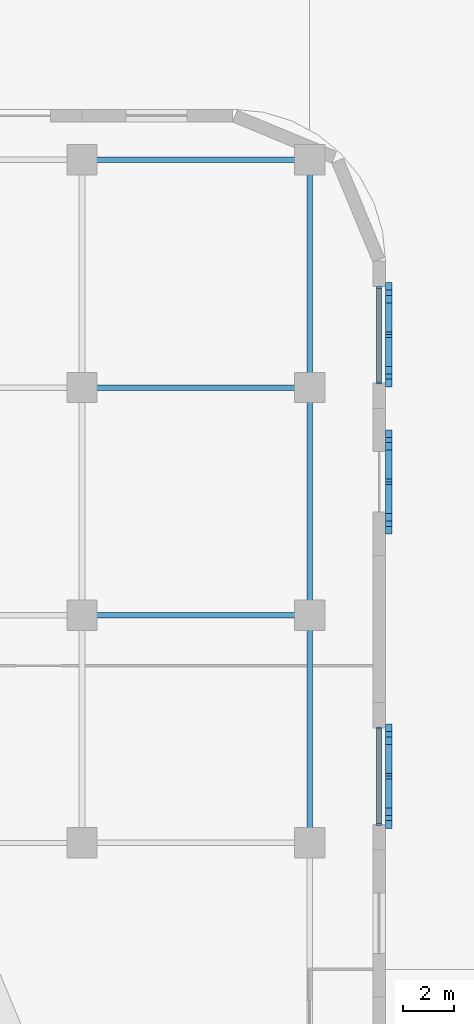
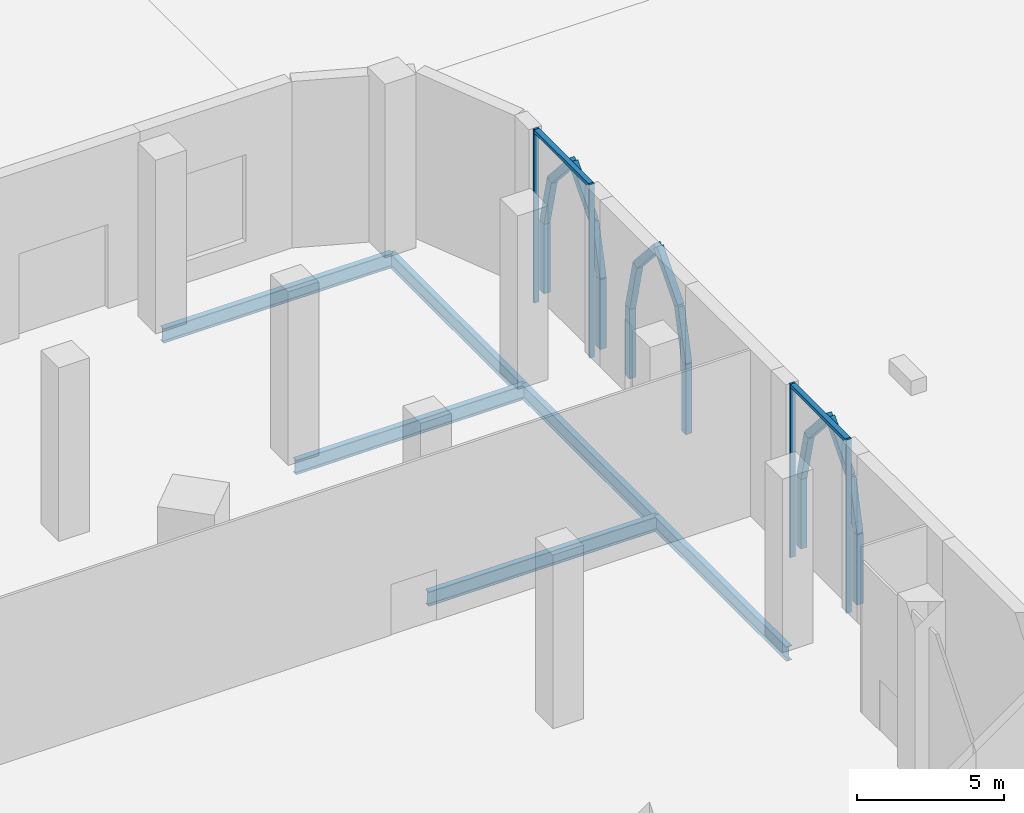
# One storey, part 17 of 48: 24 members, 6 beams, 2 elements without a shape of their own.
"""IFC4 building model written with IfcOpenShell, lengths in metres."""

from ifc_helpers import new_model, si_unit, direction, frame, origin, origin_2d, place, context, subcontext, project, spatial, rectangle, i_section, extrude, material, material_profile, profile_set, type_object, element, aggregate, save


model = new_model("IFC4")

# Units and contexts
model_context = context("Model", 3, precision=1e-05, world=origin(), true_north=direction((0.0, 1.0)))
body_context = subcontext(model_context, "Body", "Model", "MODEL_VIEW")
ifc_project = project(units=[si_unit("LENGTHUNIT", "METRE"), si_unit("AREAUNIT", "SQUARE_METRE"), si_unit("VOLUMEUNIT", "CUBIC_METRE"), si_unit("PLANEANGLEUNIT", "RADIAN"), si_unit("MASSUNIT", "GRAM", prefix="KILO")], contexts=[model_context])

# Site, building, storey
site_placement = place(None, origin())
site = spatial("IfcSite", under=ifc_project, at=site_placement, CompositionType="ELEMENT")
building_placement = place(site_placement, origin())
building = spatial("IfcBuilding", under=site, at=building_placement, Name="Ogive Gate Towers", CompositionType="ELEMENT")
storey_placement = place(building_placement, origin())
storey = spatial("IfcBuildingStorey", under=building, at=storey_placement, Name="L00", CompositionType="ELEMENT", Elevation=0.0)

# Members
ifc_material_1 = material(Name="Precast concrete C40/50", Category="concrete")
ifc_material_profile_1 = material_profile(ifc_material_1, rectangle(XDim=0.25, YDim=0.300048828125, at=origin_2d()), Name="250 x 300 cast stone")
ifc_profile_set_1 = profile_set([ifc_material_profile_1], Name="Precast concrete C40/50")
member_type_1 = type_object("IfcMemberType", Name="Arch rib 250 x 300", PredefinedType="USERDEFINED", material=ifc_profile_set_1)
member_1_placement = place(storey_placement, frame((75.125, 9.727294921875, 0.0), z_axis=(0.0, 0.0, 1.0), x_axis=(1.0, 0.0, 0.0)))
element("IfcMember", 1, at=member_1_placement, inside=storey, type_object=member_type_1, Name="Arcade arch rib", ObjectType="ARCH RIB", PredefinedType="USERDEFINED", context=body_context, shape_type="SweptSolid", body=[
    extrude(rectangle(XDim=0.25, YDim=0.300048828125, at=origin_2d()), origin(), (0.0, 0.0, 1.0), 2.89990234375),
])
for number, where, z_axis, x_axis, name in (
    (2, (75.125, 9.727294921875, 2.89990234375), (0.0, 0.239840918338, 0.970812203205), (-1.0, 0.0, 0.0), "Arcade arch rib"),
    (3, (75.125, 10.233642578125, 4.949462890625), (0.0, 0.664493031672, 0.74729446061), (-1.0, 0.0, 0.0), "Arcade arch rib"),
):
    element("IfcMember", number, at=place(storey_placement, frame(where, z_axis=z_axis, x_axis=x_axis)), inside=storey, type_object=member_type_1, Name=name, ObjectType="ARCH RIB", PredefinedType="USERDEFINED", context=body_context, shape_type="SweptSolid", body=[
        extrude(rectangle(XDim=0.25, YDim=0.300048828125, at=origin_2d()), origin(), (0.0, 0.0, 1.0), 2.111083984375),
    ])
member_2_placement = place(storey_placement, frame((75.125, 13.54541015625, 0.0), z_axis=(0.0, 0.0, 1.0), x_axis=(1.0, 0.0, 0.0)))
element("IfcMember", 4, at=member_2_placement, inside=storey, type_object=member_type_1, Name="Arcade arch rib", ObjectType="ARCH RIB", PredefinedType="USERDEFINED", context=body_context, shape_type="SweptSolid", body=[
    extrude(rectangle(XDim=0.25, YDim=0.300048828125, at=origin_2d()), origin(), (0.0, 0.0, 1.0), 2.89990234375),
])
for number, where, z_axis, x_axis, name in (
    (5, (75.125, 13.54541015625, 2.89990234375), (0.0, -0.239840918338, 0.970812203205), (1.0, 0.0, 0.0), "Arcade arch rib"),
    (6, (75.125, 13.0390625, 4.949462890625), (0.0, -0.664428442697, 0.747351888026), (1.0, 0.0, 0.0), "Arcade arch rib"),
):
    element("IfcMember", number, at=place(storey_placement, frame(where, z_axis=z_axis, x_axis=x_axis)), inside=storey, type_object=member_type_1, Name=name, ObjectType="ARCH RIB", PredefinedType="USERDEFINED", context=body_context, shape_type="SweptSolid", body=[
        extrude(rectangle(XDim=0.25, YDim=0.300048828125, at=origin_2d()), origin(), (0.0, 0.0, 1.0), 2.111083984375),
    ])
member_3_placement = place(storey_placement, frame((75.125, 21.363525390625, 0.0), z_axis=(0.0, 0.0, 1.0), x_axis=(1.0, 0.0, 0.0)))
element("IfcMember", 7, at=member_3_placement, inside=storey, type_object=member_type_1, Name="Arcade arch rib", ObjectType="ARCH RIB", PredefinedType="USERDEFINED", context=body_context, shape_type="SweptSolid", body=[
    extrude(rectangle(XDim=0.25, YDim=0.300048828125, at=origin_2d()), origin(), (0.0, 0.0, 1.0), 2.89990234375),
])
member_4_placement = place(storey_placement, frame((75.125, 21.363525390625, 2.89990234375), z_axis=(0.0, 0.239949903383, 0.97078527176), x_axis=(-1.0, 0.0, 0.0)))
element("IfcMember", 8, at=member_4_placement, inside=storey, type_object=member_type_1, Name="Arcade arch rib", ObjectType="ARCH RIB", PredefinedType="USERDEFINED", context=body_context, shape_type="SweptSolid", body=[
    extrude(rectangle(XDim=0.25, YDim=0.300048828125, at=origin_2d()), origin(), (0.0, 0.0, 1.0), 2.111328125),
])
member_5_placement = place(storey_placement, frame((75.125, 21.8701171875, 4.949462890625), z_axis=(0.0, 0.664428442697, 0.747351888026), x_axis=(-1.0, 0.0, 0.0)))
element("IfcMember", 9, at=member_5_placement, inside=storey, type_object=member_type_1, Name="Arcade arch rib", ObjectType="ARCH RIB", PredefinedType="USERDEFINED", context=body_context, shape_type="SweptSolid", body=[
    extrude(rectangle(XDim=0.25, YDim=0.300048828125, at=origin_2d()), origin(), (0.0, 0.0, 1.0), 2.111083984375),
])
member_6_placement = place(storey_placement, frame((75.125, 25.181884765625, 0.0), z_axis=(0.0, 0.0, 1.0), x_axis=(1.0, 0.0, 0.0)))
element("IfcMember", 10, at=member_6_placement, inside=storey, type_object=member_type_1, Name="Arcade arch rib", ObjectType="ARCH RIB", PredefinedType="USERDEFINED", context=body_context, shape_type="SweptSolid", body=[
    extrude(rectangle(XDim=0.25, YDim=0.300048828125, at=origin_2d()), origin(), (0.0, 0.0, 1.0), 2.89990234375),
])
member_7_placement = place(storey_placement, frame((75.125, 25.181884765625, 2.89990234375), z_axis=(0.0, -0.239949903383, 0.97078527176), x_axis=(1.0, 0.0, 0.0)))
element("IfcMember", 11, at=member_7_placement, inside=storey, type_object=member_type_1, Name="Arcade arch rib", ObjectType="ARCH RIB", PredefinedType="USERDEFINED", context=body_context, shape_type="SweptSolid", body=[
    extrude(rectangle(XDim=0.25, YDim=0.300048828125, at=origin_2d()), origin(), (0.0, 0.0, 1.0), 2.111328125),
])
member_8_placement = place(storey_placement, frame((75.125, 24.67529296875, 4.949462890625), z_axis=(0.0, -0.664428442697, 0.747351888026), x_axis=(1.0, 0.0, 0.0)))
element("IfcMember", 12, at=member_8_placement, inside=storey, type_object=member_type_1, Name="Arcade arch rib", ObjectType="ARCH RIB", PredefinedType="USERDEFINED", context=body_context, shape_type="SweptSolid", body=[
    extrude(rectangle(XDim=0.25, YDim=0.300048828125, at=origin_2d()), origin(), (0.0, 0.0, 1.0), 2.111083984375),
])
member_9_placement = place(storey_placement, frame((75.125, 27.181884765625, 0.0), z_axis=(0.0, 0.0, 1.0), x_axis=(1.0, 0.0, 0.0)))
element("IfcMember", 13, at=member_9_placement, inside=storey, type_object=member_type_1, Name="Arcade arch rib", ObjectType="ARCH RIB", PredefinedType="USERDEFINED", context=body_context, shape_type="SweptSolid", body=[
    extrude(rectangle(XDim=0.25, YDim=0.300048828125, at=origin_2d()), origin(), (0.0, 0.0, 1.0), 2.89990234375),
])
for number, where, z_axis, x_axis, name in (
    (14, (75.125, 27.181884765625, 2.89990234375), (0.0, 0.239840918338, 0.970812203205), (-1.0, 0.0, 0.0), "Arcade arch rib"),
    (15, (75.125, 27.688232421875, 4.949462890625), (0.0, 0.664428442697, 0.747351888026), (-1.0, 0.0, 0.0), "Arcade arch rib"),
):
    element("IfcMember", number, at=place(storey_placement, frame(where, z_axis=z_axis, x_axis=x_axis)), inside=storey, type_object=member_type_1, Name=name, ObjectType="ARCH RIB", PredefinedType="USERDEFINED", context=body_context, shape_type="SweptSolid", body=[
        extrude(rectangle(XDim=0.25, YDim=0.300048828125, at=origin_2d()), origin(), (0.0, 0.0, 1.0), 2.111083984375),
    ])
member_10_placement = place(storey_placement, frame((75.125, 31.0, 0.0), z_axis=(0.0, 0.0, 1.0), x_axis=(1.0, 0.0, 0.0)))
element("IfcMember", 16, at=member_10_placement, inside=storey, type_object=member_type_1, Name="Arcade arch rib", ObjectType="ARCH RIB", PredefinedType="USERDEFINED", context=body_context, shape_type="SweptSolid", body=[
    extrude(rectangle(XDim=0.25, YDim=0.300048828125, at=origin_2d()), origin(), (0.0, 0.0, 1.0), 2.89990234375),
])
for number, where, z_axis, x_axis, name in (
    (17, (75.125, 31.0, 2.89990234375), (0.0, -0.239840918338, 0.970812203205), (1.0, 0.0, 0.0), "Arcade arch rib"),
    (18, (75.125, 30.49365234375, 4.949462890625), (0.0, -0.664493031672, 0.74729446061), (1.0, 0.0, 0.0), "Arcade arch rib"),
):
    element("IfcMember", number, at=place(storey_placement, frame(where, z_axis=z_axis, x_axis=x_axis)), inside=storey, type_object=member_type_1, Name=name, ObjectType="ARCH RIB", PredefinedType="USERDEFINED", context=body_context, shape_type="SweptSolid", body=[
        extrude(rectangle(XDim=0.25, YDim=0.300048828125, at=origin_2d()), origin(), (0.0, 0.0, 1.0), 2.111083984375),
    ])

# Beams
ifc_material_2 = material(Name="Steel SM355", Category="steel")
ifc_material_profile_2 = material_profile(ifc_material_2, i_section(OverallWidth=0.219970703125, OverallDepth=0.60009765625, WebThickness=0.011962890625, FlangeThickness=0.01904296875, FilletRadius=0.02392578125, at=origin_2d()), Name="IPE 600")
ifc_profile_set_2 = profile_set([ifc_material_profile_2], Name="Steel SM355")
beam_type = type_object("IfcBeamType", Name="Floor beam IPE 600", PredefinedType="BEAM", material=ifc_profile_set_2)
for number, where, z_axis, x_axis, name in (
    (19, (72.0, 9.0, -0.60009765625), (0.0, 1.0, 0.0), (-1.0, 0.0, 0.0), "PD/L00/SBM070"),
    (20, (72.0, 18.0, -0.60009765625), (0.0, 1.0, 0.0), (-1.0, 0.0, 0.0), "PD/L00/SBM071"),
    (21, (72.0, 27.0, -0.60009765625), (0.0, 1.0, 0.0), (-1.0, 0.0, 0.0), "PD/L00/SBM072"),
    (22, (63.0, 18.0, -0.60009765625), (1.0, 0.0, 0.0), (0.0, 1.0, 0.0), "PD/L00/SBM124"),
    (23, (63.0, 27.0, -0.60009765625), (1.0, 0.0, 0.0), (0.0, 1.0, 0.0), "PD/L00/SBM136"),
    (24, (63.0, 36.0, -0.60009765625), (1.0, 0.0, 0.0), (0.0, 1.0, 0.0), "PD/L00/SBM152"),
):
    element("IfcBeam", number, at=place(storey_placement, frame(where, z_axis=z_axis, x_axis=x_axis)), inside=storey, type_object=beam_type, Name=name, PredefinedType="BEAM", context=body_context, shape_type="SweptSolid", body=[
        extrude(i_section(OverallWidth=0.219970703125, OverallDepth=0.60009765625, WebThickness=0.011962890625, FlangeThickness=0.01904296875, FilletRadius=0.02392578125, at=origin_2d()), origin(), (0.0, 0.0, 1.0), 9.0),
    ])

# Curtain wall, members
ifc_material_3 = material(Name="Pale metal aluminium", Category="aluminium")
curtain_wall_type = type_object("IfcCurtainWallType", Name="Podium glazing", PredefinedType="NOTDEFINED", material=ifc_material_3)
curtain_wall_1_placement = place(storey_placement, origin())
curtain_wall_1 = element("IfcCurtainWall", 25, at=curtain_wall_1_placement, inside=storey, type_object=curtain_wall_type, Name="CW6 PD ECW02", PredefinedType="NOTDEFINED")
ifc_material_profile_3 = material_profile(ifc_material_3, rectangle(XDim=0.199951171875, YDim=0.080078125, at=origin_2d()), Name="80 x 200 aluminium box")
ifc_profile_set_3 = profile_set([ifc_material_profile_3], Name="Pale metal aluminium")
member_type_2 = type_object("IfcMemberType", Name="Podium glazing mullion 80 x 200", PredefinedType="MULLION", material=ifc_profile_set_3)
member_11_placement = place(storey_placement, frame((74.75, 9.727294921875, -0.300048828125), z_axis=(0.0, 0.0, 1.0), x_axis=(1.0, 0.0, 0.0)))
member_11 = element("IfcMember", 26, at=member_11_placement, type_object=member_type_2, Name="CW6 mullion", PredefinedType="MULLION", context=body_context, shape_type="SweptSolid", body=[
    extrude(rectangle(XDim=0.199951171875, YDim=0.080078125, at=origin_2d()), origin(), (0.0, 0.0, 1.0), 7.199951171875),
])
member_12_placement = place(storey_placement, frame((74.75, 13.54541015625, -0.300048828125), z_axis=(0.0, 0.0, 1.0), x_axis=(1.0, 0.0, 0.0)))
member_12 = element("IfcMember", 27, at=member_12_placement, type_object=member_type_2, Name="CW6 mullion", PredefinedType="MULLION", context=body_context, shape_type="SweptSolid", body=[
    extrude(rectangle(XDim=0.199951171875, YDim=0.080078125, at=origin_2d()), origin(), (0.0, 0.0, 1.0), 7.199951171875),
])

curtain_wall_2_placement = place(storey_placement, origin())
curtain_wall_2 = element("IfcCurtainWall", 28, at=curtain_wall_2_placement, inside=storey, type_object=curtain_wall_type, Name="CW6 PD ECW03", PredefinedType="NOTDEFINED")
member_13_placement = place(storey_placement, frame((74.75, 27.181884765625, -0.300048828125), z_axis=(0.0, 0.0, 1.0), x_axis=(1.0, 0.0, 0.0)))
member_13 = element("IfcMember", 29, at=member_13_placement, type_object=member_type_2, Name="CW6 mullion", PredefinedType="MULLION", context=body_context, shape_type="SweptSolid", body=[
    extrude(rectangle(XDim=0.199951171875, YDim=0.080078125, at=origin_2d()), origin(), (0.0, 0.0, 1.0), 7.199951171875),
])
member_14_placement = place(storey_placement, frame((74.75, 30.9501953125, -0.300048828125), z_axis=(0.0, 0.0, 1.0), x_axis=(1.0, 0.0, 0.0)))
member_14 = element("IfcMember", 30, at=member_14_placement, type_object=member_type_2, Name="CW6 mullion", PredefinedType="MULLION", context=body_context, shape_type="SweptSolid", body=[
    extrude(rectangle(XDim=0.199951171875, YDim=0.080078125, at=origin_2d()), origin(), (0.0, 0.0, 1.0), 7.199951171875),
])

# Member
ifc_material_profile_4 = material_profile(ifc_material_3, rectangle(XDim=0.199951171875, YDim=0.139892578125, at=origin_2d()), Name="140 x 200 aluminium box")
ifc_profile_set_4 = profile_set([ifc_material_profile_4], Name="Pale metal aluminium")
member_type_3 = type_object("IfcMemberType", Name="Podium glazing transom 140 x 200", PredefinedType="USERDEFINED", material=ifc_profile_set_4)
member_15_placement = place(storey_placement, frame((74.75, 9.767333984375, 6.830078125), z_axis=(0.0, 1.0, 0.0), x_axis=(-1.0, 0.0, 0.0)))
member_15 = element("IfcMember", 31, at=member_15_placement, type_object=member_type_3, Name="CW6 transom", ObjectType="TRANSOM", PredefinedType="USERDEFINED", context=body_context, shape_type="SweptSolid", body=[
    extrude(rectangle(XDim=0.199951171875, YDim=0.139892578125, at=origin_2d()), origin(), (0.0, 0.0, 1.0), 3.73828125),
])

aggregate(curtain_wall_1, [member_11, member_12, member_15])

member_16_placement = place(storey_placement, frame((74.75, 27.2216796875, 6.830078125), z_axis=(0.0, 1.0, 0.0), x_axis=(-1.0, 0.0, 0.0)))
member_16 = element("IfcMember", 32, at=member_16_placement, type_object=member_type_3, Name="CW6 transom", ObjectType="TRANSOM", PredefinedType="USERDEFINED", context=body_context, shape_type="SweptSolid", body=[
    extrude(rectangle(XDim=0.199951171875, YDim=0.139892578125, at=origin_2d()), origin(), (0.0, 0.0, 1.0), 3.688720703125),
])

aggregate(curtain_wall_2, [member_13, member_14, member_16])

save(model, "model.ifc")
